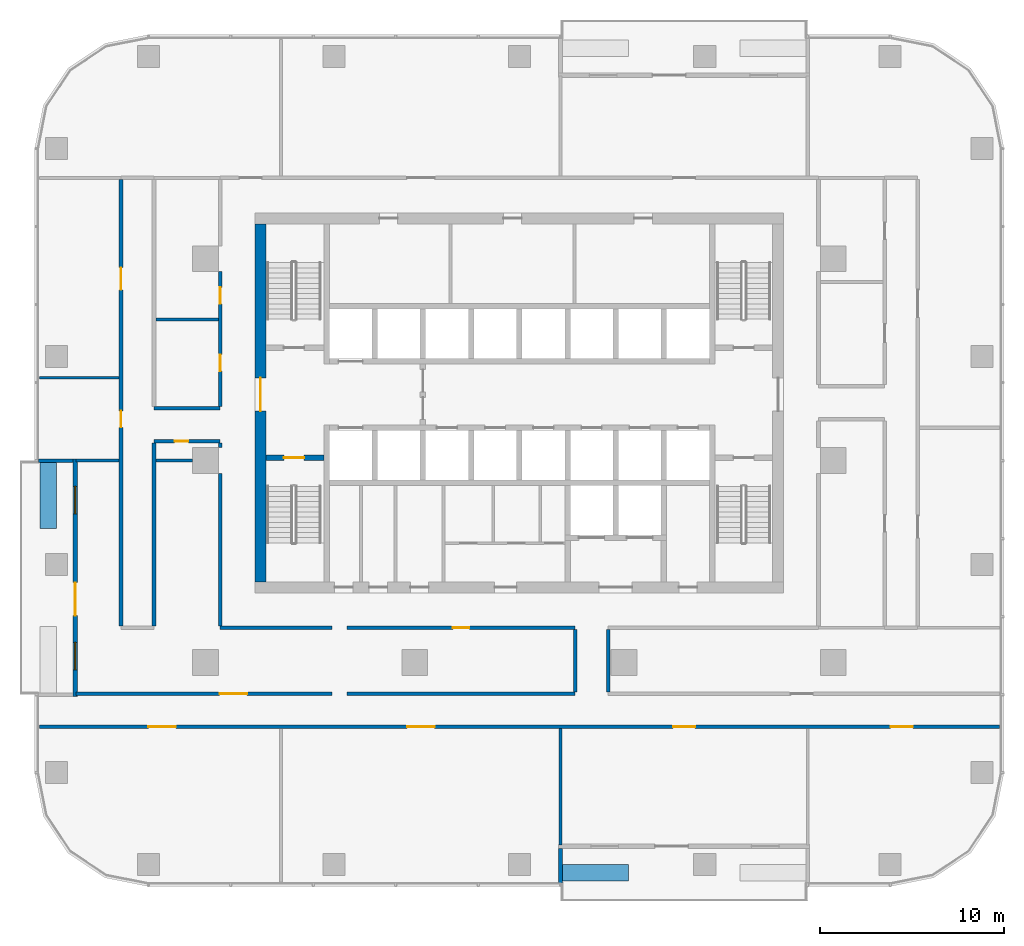
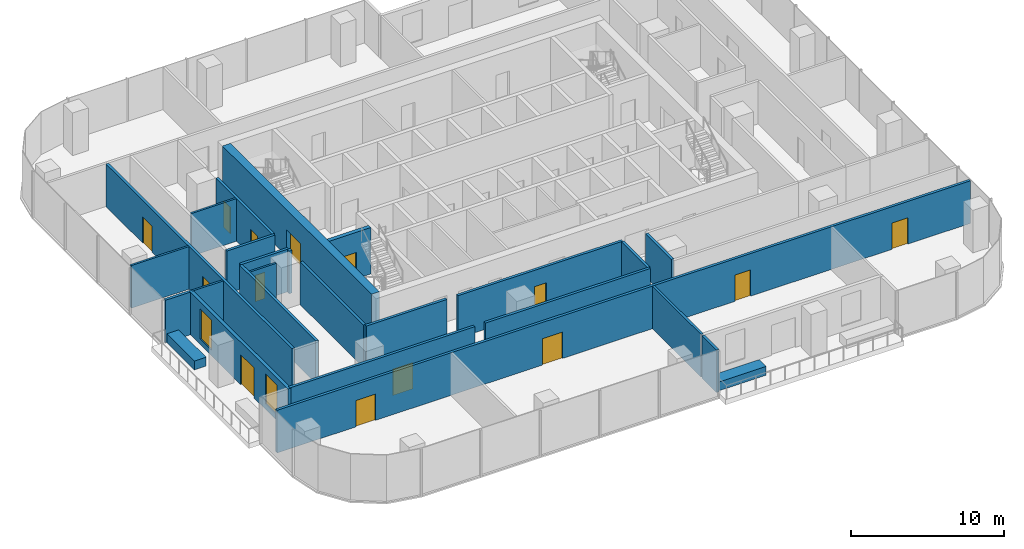
# One storey, part 7 of 14: 26 walls, 14 doors, 2 windows, 16 openings.
"""IFC4 building model written with IfcOpenShell, lengths in metres."""

from ifc_helpers import new_model, si_unit, direction, frame, frame_2d, origin, place, context, subcontext, project, spatial, rectangle, extrude, material, layer, layer_set, type_object, element, fill, save


model = new_model("IFC4")

# Units and contexts
model_context = context("Model", 3, precision=1e-05, world=origin(), true_north=direction((0.0, 1.0)))
body_context = subcontext(model_context, "Body", "Model", "MODEL_VIEW")
ifc_project = project(units=[si_unit("LENGTHUNIT", "METRE"), si_unit("AREAUNIT", "SQUARE_METRE"), si_unit("VOLUMEUNIT", "CUBIC_METRE"), si_unit("PLANEANGLEUNIT", "RADIAN"), si_unit("MASSUNIT", "GRAM", prefix="KILO")], contexts=[model_context])

# Site, building, storey
site_placement = place(None, origin())
site = spatial("IfcSite", under=ifc_project, at=site_placement, CompositionType="ELEMENT")
building_placement = place(site_placement, origin())
building = spatial("IfcBuilding", under=site, at=building_placement, Name="Mopane Tessera Tower", CompositionType="ELEMENT")
storey_placement = place(building_placement, frame((0.0, 0.0, 201.0)))
storey = spatial("IfcBuildingStorey", under=building, at=storey_placement, Name="L42", CompositionType="ELEMENT", Elevation=201.0)

# Wall, opening, door
ifc_material_1 = material(Name="Concrete C70/85", Category="concrete")
ifc_layer_1 = layer(ifc_material_1, 0.60009765625)
ifc_layer_set_1 = layer_set([ifc_layer_1], Name="Concrete C70/85")
wall_type_1 = type_object("IfcWallType", Name="Core shear wall 600 mm", PredefinedType="SHEAR", material=ifc_layer_set_1)
wall_1_placement = place(storey_placement, frame((-14.10009765625, -6.60009765625, 0.0), z_axis=(0.0, 0.0, 1.0), x_axis=(0.0, 1.0, 0.0)))
wall_1 = element("IfcWall", 1, at=wall_1_placement, inside=storey, type_object=wall_type_1, Name="L42 Core wall west", PredefinedType="SHEAR", context=body_context, shape_type="SweptSolid", body=[
    extrude(rectangle(XDim=19.5, YDim=0.60009765625, at=frame_2d((9.75, 0.0))), origin(), (0.0, 0.0, 1.0), 3.699951171875),
])
opening_1_placement = place(wall_1_placement, frame((9.300048828125, 0.0, 0.0)))
opening_1 = element("IfcOpeningElement", 2, at=opening_1_placement, cuts=wall_1, Name="Opening SD2", PredefinedType="OPENING", context=body_context, shape_type="SweptSolid", body=[
    extrude(rectangle(XDim=1.800048828125, YDim=2.10009765625, at=frame_2d((0.89990234375, 1.050048828125))), frame((0.0, 0.31201171875, 0.0), z_axis=(0.0, -1.0, 0.0), x_axis=(1.0, 0.0, 0.0)), (0.0, 0.0, 1.0), 0.6240234375),
])
ifc_material_2 = material(Name="Steel fire door", Category="steel")
door_type_1 = type_object("IfcDoorType", Name="Core entrance double door 1800 x 2100", OperationType="DOUBLE_DOOR_SINGLE_SWING", PredefinedType="DOOR", material=ifc_material_2)
door_1_placement = place(opening_1_placement, origin())
door_1 = element("IfcDoor", 3, at=door_1_placement, inside=storey, type_object=door_type_1, Name="L42 Core entrance door west", OperationType="DOUBLE_DOOR_SINGLE_SWING", OverallHeight=2.10009765625, OverallWidth=1.800048828125, PredefinedType="DOOR", context=body_context, shape_type="SweptSolid", body=[
    extrude(rectangle(XDim=1.800048828125, YDim=2.10009765625, at=frame_2d((0.89990234375, 1.050048828125))), frame((0.0, 0.02490234375, 0.0), z_axis=(0.0, -1.0, 0.0), x_axis=(1.0, 0.0, 0.0)), (0.0, 0.0, 1.0), 0.050048828125),
])
fill(opening_1, door_1)

# Wall
ifc_material_3 = material(Name="Gypsum board on staggered steel studs, double layer each face, acoustic mineral wool infill", Category="steel")
ifc_layer_2 = layer(ifc_material_3, 0.175048828125)
ifc_layer_set_2 = layer_set([ifc_layer_2], Name="Gypsum board on staggered steel studs, double layer each face, acoustic mineral wool infill")
wall_type_2 = type_object("IfcWallType", Name="Gypsum board acoustic partition 175, rated EI 60", PredefinedType="PARTITIONING", material=ifc_layer_set_2)
wall_2_placement = place(storey_placement, frame((2.2451171875, -20.949951171875, 0.0), z_axis=(0.0, 0.0, 1.0), x_axis=(0.0, 1.0, 0.0)))
element("IfcWall", 4, at=wall_2_placement, inside=storey, type_object=wall_type_2, Name="Partition L42:037", PredefinedType="PARTITIONING", context=body_context, shape_type="SweptSolid", body=[
    extrude(rectangle(XDim=6.349853515625, YDim=0.175048828125, at=frame_2d((3.1748046875, 0.0))), origin(), (0.0, 0.0, 1.0), 3.39990234375),
])

# Wall, openings, doors
ifc_material_4 = material(Name="Gypsum board on steel studs, two layers each face, mineral wool infill", Category="steel")
ifc_layer_3 = layer(ifc_material_4, 0.199951171875)
ifc_layer_set_3 = layer_set([ifc_layer_3], Name="Gypsum board on steel studs, two layers each face, mineral wool infill")
wall_type_3 = type_object("IfcWallType", Name="Gypsum board corridor wall 200, rated EI 60", PredefinedType="PARTITIONING", material=ifc_layer_set_3)
wall_3_placement = place(storey_placement, frame((-26.14990234375, -14.5, 0.0), z_axis=(0.0, 0.0, 1.0), x_axis=(1.0, 0.0, 0.0)))
wall_3 = element("IfcWall", 5, at=wall_3_placement, inside=storey, type_object=wall_type_3, Name="Partition L42:000", PredefinedType="PARTITIONING", context=body_context, shape_type="SweptSolid", body=[
    extrude(rectangle(XDim=52.2998046875, YDim=0.199951171875, at=frame_2d((26.14990234375, 0.0))), origin(), (0.0, 0.0, 1.0), 3.39990234375),
])
opening_2_placement = place(wall_3_placement, frame((46.3798828125, 0.0, 0.0)))
opening_2 = element("IfcOpeningElement", 6, at=opening_2_placement, cuts=wall_3, Name="Opening L42-04", PredefinedType="OPENING", context=body_context, shape_type="SweptSolid", body=[
    extrude(rectangle(XDim=1.199951171875, YDim=2.10009765625, at=frame_2d((0.60009765625, 1.050048828125))), frame((0.0, 0.112060546875, 0.0), z_axis=(0.0, -1.0, 0.0), x_axis=(1.0, 0.0, 0.0)), (0.0, 0.0, 1.0), 0.223876953125),
])
opening_3_placement = place(wall_3_placement, frame((5.9375, 0.0, 0.0)))
opening_3 = element("IfcOpeningElement", 7, at=opening_3_placement, cuts=wall_3, Name="Opening L42-12", PredefinedType="OPENING", context=body_context, shape_type="SweptSolid", body=[
    extrude(rectangle(XDim=1.5, YDim=2.10009765625, at=frame_2d((0.75, 1.050048828125))), frame((0.0, 0.112060546875, 0.0), z_axis=(0.0, -1.0, 0.0), x_axis=(1.0, 0.0, 0.0)), (0.0, 0.0, 1.0), 0.223876953125),
])
opening_4_placement = place(wall_3_placement, frame((20.034912109375, 0.0, 0.0)))
opening_4 = element("IfcOpeningElement", 8, at=opening_4_placement, cuts=wall_3, Name="Opening L42-16", PredefinedType="OPENING", context=body_context, shape_type="SweptSolid", body=[
    extrude(rectangle(XDim=1.5, YDim=2.10009765625, at=frame_2d((0.75, 1.050048828125))), frame((0.0, 0.112060546875, 0.0), z_axis=(0.0, -1.0, 0.0), x_axis=(1.0, 0.0, 0.0)), (0.0, 0.0, 1.0), 0.223876953125),
])
opening_5_placement = place(wall_3_placement, frame((34.527587890625, 0.0, 0.0)))
opening_5 = element("IfcOpeningElement", 9, at=opening_5_placement, cuts=wall_3, Name="Opening L42-19", PredefinedType="OPENING", context=body_context, shape_type="SweptSolid", body=[
    extrude(rectangle(XDim=1.199951171875, YDim=2.10009765625, at=frame_2d((0.60009765625, 1.050048828125))), frame((0.0, 0.112060546875, 0.0), z_axis=(0.0, -1.0, 0.0), x_axis=(1.0, 0.0, 0.0)), (0.0, 0.0, 1.0), 0.223876953125),
])
ifc_material_5 = material(Name="Timber veneered steel-framed fire door", Category="steel")
door_type_2 = type_object("IfcDoorType", Name="Fire door FD60 1200 x 2100", OperationType="SINGLE_SWING_LEFT", PredefinedType="DOOR", material=ifc_material_5)
door_2_placement = place(opening_2_placement, origin())
door_2 = element("IfcDoor", 10, at=door_2_placement, inside=storey, type_object=door_type_2, Name="Door L42-04", ObjectType="D15A", OperationType="SINGLE_SWING_RIGHT", OverallHeight=2.10009765625, OverallWidth=1.199951171875, PredefinedType="DOOR", context=body_context, shape_type="SweptSolid", body=[
    extrude(rectangle(XDim=1.199951171875, YDim=2.10009765625, at=frame_2d((0.60009765625, 1.050048828125))), frame((0.0, 0.02490234375, 0.0), z_axis=(0.0, -1.0, 0.0), x_axis=(1.0, 0.0, 0.0)), (0.0, 0.0, 1.0), 0.050048828125),
])
fill(opening_2, door_2)
door_3_placement = place(opening_5_placement, origin())
door_3 = element("IfcDoor", 11, at=door_3_placement, inside=storey, type_object=door_type_2, Name="Door L42-19", ObjectType="D15A", OperationType="SINGLE_SWING_LEFT", OverallHeight=2.10009765625, OverallWidth=1.199951171875, PredefinedType="DOOR", context=body_context, shape_type="SweptSolid", body=[
    extrude(rectangle(XDim=1.199951171875, YDim=2.10009765625, at=frame_2d((0.60009765625, 1.050048828125))), frame((0.0, 0.02490234375, 0.0), z_axis=(0.0, -1.0, 0.0), x_axis=(1.0, 0.0, 0.0)), (0.0, 0.0, 1.0), 0.050048828125),
])
fill(opening_5, door_3)
ifc_material_6 = material(Name="Timber veneered steel-framed fire door", Category="steel")
door_type_3 = type_object("IfcDoorType", Name="Fire door pair FD60 1500 x 2100", OperationType="DOUBLE_DOOR_SINGLE_SWING", PredefinedType="DOOR", material=ifc_material_6)
door_4_placement = place(opening_3_placement, origin())
door_4 = element("IfcDoor", 12, at=door_4_placement, inside=storey, type_object=door_type_3, Name="Door L42-12", ObjectType="D17A", OperationType="DOUBLE_DOOR_SINGLE_SWING", OverallHeight=2.10009765625, OverallWidth=1.5, PredefinedType="DOOR", context=body_context, shape_type="SweptSolid", body=[
    extrude(rectangle(XDim=1.5, YDim=2.10009765625, at=frame_2d((0.75, 1.050048828125))), frame((0.0, 0.02490234375, 0.0), z_axis=(0.0, -1.0, 0.0), x_axis=(1.0, 0.0, 0.0)), (0.0, 0.0, 1.0), 0.050048828125),
])
fill(opening_3, door_4)
door_5_placement = place(opening_4_placement, origin())
door_5 = element("IfcDoor", 13, at=door_5_placement, inside=storey, type_object=door_type_3, Name="Door L42-16", ObjectType="D17A", OperationType="DOUBLE_DOOR_SINGLE_SWING", OverallHeight=2.10009765625, OverallWidth=1.5, PredefinedType="DOOR", context=body_context, shape_type="SweptSolid", body=[
    extrude(rectangle(XDim=1.5, YDim=2.10009765625, at=frame_2d((0.75, 1.050048828125))), frame((0.0, 0.02490234375, 0.0), z_axis=(0.0, -1.0, 0.0), x_axis=(1.0, 0.0, 0.0)), (0.0, 0.0, 1.0), 0.050048828125),
])
fill(opening_4, door_5)

# Wall, opening, door
wall_4_placement = place(storey_placement, frame((-24.14990234375, -12.699951171875, 0.0), z_axis=(0.0, 0.0, 1.0), x_axis=(1.0, 0.0, 0.0)))
wall_4 = element("IfcWall", 14, at=wall_4_placement, inside=storey, type_object=wall_type_3, Name="Partition L42:001", PredefinedType="PARTITIONING", context=body_context, shape_type="SweptSolid", body=[
    extrude(rectangle(XDim=13.949951171875, YDim=0.199951171875, at=frame_2d((6.97509765625, 0.0))), origin(), (0.0, 0.0, 1.0), 3.39990234375),
])
opening_6_placement = place(wall_4_placement, frame((7.824951171875, 0.0, 0.0)))
opening_6 = element("IfcOpeningElement", 15, at=opening_6_placement, cuts=wall_4, Name="Opening L42-18", PredefinedType="OPENING", context=body_context, shape_type="SweptSolid", body=[
    extrude(rectangle(XDim=1.5, YDim=2.10009765625, at=frame_2d((0.75, 1.050048828125))), frame((0.0, 0.112060546875, 0.0), z_axis=(0.0, -1.0, 0.0), x_axis=(1.0, 0.0, 0.0)), (0.0, 0.0, 1.0), 0.223876953125),
])
door_6_placement = place(opening_6_placement, origin())
door_6 = element("IfcDoor", 16, at=door_6_placement, inside=storey, type_object=door_type_3, Name="Door L42-18", ObjectType="D17A", OperationType="DOUBLE_DOOR_SINGLE_SWING", OverallHeight=2.10009765625, OverallWidth=1.5, PredefinedType="DOOR", context=body_context, shape_type="SweptSolid", body=[
    extrude(rectangle(XDim=1.5, YDim=2.10009765625, at=frame_2d((0.75, 1.050048828125))), frame((0.0, 0.02490234375, 0.0), z_axis=(0.0, -1.0, 0.0), x_axis=(1.0, 0.0, 0.0)), (0.0, 0.0, 1.0), 0.050048828125),
])
fill(opening_6, door_6)

# Walls
wall_5_placement = place(storey_placement, frame((-9.385009765625, -12.699951171875, 0.0), z_axis=(0.0, 0.0, 1.0), x_axis=(1.0, 0.0, 0.0)))
element("IfcWall", 17, at=wall_5_placement, inside=storey, type_object=wall_type_3, Name="Partition L42:002", PredefinedType="PARTITIONING", context=body_context, shape_type="SweptSolid", body=[
    extrude(rectangle(XDim=12.425048828125, YDim=0.199951171875, at=frame_2d((6.21240234375, 0.0))), origin(), (0.0, 0.0, 1.0), 3.39990234375),
])
wall_6_placement = place(storey_placement, frame((-16.300048828125, -9.10009765625, 0.0), z_axis=(0.0, 0.0, 1.0), x_axis=(1.0, 0.0, 0.0)))
element("IfcWall", 18, at=wall_6_placement, inside=storey, type_object=wall_type_3, Name="Partition L42:007", PredefinedType="PARTITIONING", context=body_context, shape_type="SweptSolid", body=[
    extrude(rectangle(XDim=6.10009765625, YDim=0.199951171875, at=frame_2d((3.050048828125, 0.0))), origin(), (0.0, 0.0, 1.0), 3.39990234375),
])

# Wall, opening, door
wall_7_placement = place(storey_placement, frame((-9.385009765625, -9.10009765625, 0.0), z_axis=(0.0, 0.0, 1.0), x_axis=(1.0, 0.0, 0.0)))
wall_7 = element("IfcWall", 19, at=wall_7_placement, inside=storey, type_object=wall_type_3, Name="Partition L42:008", PredefinedType="PARTITIONING", context=body_context, shape_type="SweptSolid", body=[
    extrude(rectangle(XDim=12.425048828125, YDim=0.199951171875, at=frame_2d((6.21240234375, 0.0))), origin(), (0.0, 0.0, 1.0), 3.39990234375),
])
opening_7_placement = place(wall_7_placement, frame((5.762451171875, 0.0, 0.0)))
opening_7 = element("IfcOpeningElement", 20, at=opening_7_placement, cuts=wall_7, Name="Opening L42-11", PredefinedType="OPENING", context=body_context, shape_type="SweptSolid", body=[
    extrude(rectangle(XDim=0.89990234375, YDim=2.10009765625, at=frame_2d((0.449951171875, 1.050048828125))), frame((0.0, 0.112060546875, 0.0), z_axis=(0.0, -1.0, 0.0), x_axis=(1.0, 0.0, 0.0)), (0.0, 0.0, 1.0), 0.223876953125),
])
ifc_material_7 = material(Name="Timber veneered steel-framed fire door", Category="steel")
door_type_4 = type_object("IfcDoorType", Name="Fire door FD60 900 x 2100", OperationType="SINGLE_SWING_LEFT", PredefinedType="DOOR", material=ifc_material_7)
door_7_placement = place(opening_7_placement, origin())
door_7 = element("IfcDoor", 21, at=door_7_placement, inside=storey, type_object=door_type_4, Name="Door L42-11", ObjectType="D10A", OperationType="SINGLE_SWING_LEFT", OverallHeight=2.10009765625, OverallWidth=0.89990234375, PredefinedType="DOOR", context=body_context, shape_type="SweptSolid", body=[
    extrude(rectangle(XDim=0.89990234375, YDim=2.10009765625, at=frame_2d((0.449951171875, 1.050048828125))), frame((0.0, 0.02490234375, 0.0), z_axis=(0.0, -1.0, 0.0), x_axis=(1.0, 0.0, 0.0)), (0.0, 0.0, 1.0), 0.050048828125),
])
fill(opening_7, door_7)

wall_8_placement = place(storey_placement, frame((-19.89990234375, 1.050048828125, 0.0), z_axis=(0.0, 0.0, 1.0), x_axis=(1.0, 0.0, 0.0)))
wall_8 = element("IfcWall", 22, at=wall_8_placement, inside=storey, type_object=wall_type_3, Name="Partition L42:013", PredefinedType="PARTITIONING", context=body_context, shape_type="SweptSolid", body=[
    extrude(rectangle(XDim=3.599853515625, YDim=0.199951171875, at=frame_2d((1.7998046875, 0.0))), origin(), (0.0, 0.0, 1.0), 3.39990234375),
])
opening_8_placement = place(wall_8_placement, frame((1.125, 0.0, 0.0)))
opening_8 = element("IfcOpeningElement", 23, at=opening_8_placement, cuts=wall_8, Name="Opening L42-05", PredefinedType="OPENING", context=body_context, shape_type="SweptSolid", body=[
    extrude(rectangle(XDim=0.75, YDim=2.10009765625, at=frame_2d((0.375, 1.050048828125))), frame((0.0, 0.112060546875, 0.0), z_axis=(0.0, -1.0, 0.0), x_axis=(1.0, 0.0, 0.0)), (0.0, 0.0, 1.0), 0.223876953125),
])
ifc_material_8 = material(Name="Timber veneered steel-framed fire door", Category="steel")
door_type_5 = type_object("IfcDoorType", Name="Fire door FD60 750 x 2100", OperationType="SINGLE_SWING_LEFT", PredefinedType="DOOR", material=ifc_material_8)
door_8_placement = place(opening_8_placement, origin())
door_8 = element("IfcDoor", 24, at=door_8_placement, inside=storey, type_object=door_type_5, Name="Door L42-05", ObjectType="D08A", OperationType="SINGLE_SWING_LEFT", OverallHeight=2.10009765625, OverallWidth=0.75, PredefinedType="DOOR", context=body_context, shape_type="SweptSolid", body=[
    extrude(rectangle(XDim=0.75, YDim=2.10009765625, at=frame_2d((0.375, 1.050048828125))), frame((0.0, 0.02490234375, 0.0), z_axis=(0.0, -1.0, 0.0), x_axis=(1.0, 0.0, 0.0)), (0.0, 0.0, 1.0), 0.050048828125),
])
fill(opening_8, door_8)

# Wall
wall_9_placement = place(storey_placement, frame((-19.89990234375, 2.85009765625, 0.0), z_axis=(0.0, 0.0, 1.0), x_axis=(1.0, 0.0, 0.0)))
element("IfcWall", 25, at=wall_9_placement, inside=storey, type_object=wall_type_3, Name="Partition L42:016", PredefinedType="PARTITIONING", context=body_context, shape_type="SweptSolid", body=[
    extrude(rectangle(XDim=3.599853515625, YDim=0.199951171875, at=frame_2d((1.7998046875, 0.0))), origin(), (0.0, 0.0, 1.0), 3.39990234375),
])

# Wall, openings, doors
wall_10_placement = place(storey_placement, frame((-21.699951171875, -9.0, 0.0), z_axis=(0.0, 0.0, 1.0), x_axis=(0.0, 1.0, 0.0)))
wall_10 = element("IfcWall", 26, at=wall_10_placement, inside=storey, type_object=wall_type_3, Name="Partition L42:027", PredefinedType="PARTITIONING", context=body_context, shape_type="SweptSolid", body=[
    extrude(rectangle(XDim=24.300048828125, YDim=0.199951171875, at=frame_2d((12.14990234375, 0.0))), origin(), (0.0, 0.0, 1.0), 3.39990234375),
])
opening_9_placement = place(wall_10_placement, frame((18.304931640625, 0.0, 0.0)))
opening_9 = element("IfcOpeningElement", 27, at=opening_9_placement, cuts=wall_10, Name="Opening L42-01", PredefinedType="OPENING", context=body_context, shape_type="SweptSolid", body=[
    extrude(rectangle(XDim=1.199951171875, YDim=2.10009765625, at=frame_2d((0.60009765625, 1.050048828125))), frame((0.0, 0.112060546875, 0.0), z_axis=(0.0, -1.0, 0.0), x_axis=(1.0, 0.0, 0.0)), (0.0, 0.0, 1.0), 0.223876953125),
])
opening_10_placement = place(wall_10_placement, frame((10.804931640625, 0.0, 0.0)))
opening_10 = element("IfcOpeningElement", 28, at=opening_10_placement, cuts=wall_10, Name="Opening L42-09", PredefinedType="OPENING", context=body_context, shape_type="SweptSolid", body=[
    extrude(rectangle(XDim=0.89990234375, YDim=2.10009765625, at=frame_2d((0.449951171875, 1.050048828125))), frame((0.0, 0.112060546875, 0.0), z_axis=(0.0, -1.0, 0.0), x_axis=(1.0, 0.0, 0.0)), (0.0, 0.0, 1.0), 0.223876953125),
])
door_9_placement = place(opening_9_placement, origin())
door_9 = element("IfcDoor", 29, at=door_9_placement, inside=storey, type_object=door_type_2, Name="Door L42-01", ObjectType="D15A", OperationType="SINGLE_SWING_RIGHT", OverallHeight=2.10009765625, OverallWidth=1.199951171875, PredefinedType="DOOR", context=body_context, shape_type="SweptSolid", body=[
    extrude(rectangle(XDim=1.199951171875, YDim=2.10009765625, at=frame_2d((0.60009765625, 1.050048828125))), frame((0.0, 0.02490234375, 0.0), z_axis=(0.0, -1.0, 0.0), x_axis=(1.0, 0.0, 0.0)), (0.0, 0.0, 1.0), 0.050048828125),
])
fill(opening_9, door_9)
door_10_placement = place(opening_10_placement, origin())
door_10 = element("IfcDoor", 30, at=door_10_placement, inside=storey, type_object=door_type_4, Name="Door L42-09", ObjectType="D10A", OperationType="SINGLE_SWING_RIGHT", OverallHeight=2.10009765625, OverallWidth=0.89990234375, PredefinedType="DOOR", context=body_context, shape_type="SweptSolid", body=[
    extrude(rectangle(XDim=0.89990234375, YDim=2.10009765625, at=frame_2d((0.449951171875, 1.050048828125))), frame((0.0, 0.02490234375, 0.0), z_axis=(0.0, -1.0, 0.0), x_axis=(1.0, 0.0, 0.0)), (0.0, 0.0, 1.0), 0.050048828125),
])
fill(opening_10, door_10)

# Walls
wall_11_placement = place(storey_placement, frame((-19.89990234375, -9.0, 0.0), z_axis=(0.0, 0.0, 1.0), x_axis=(0.0, 1.0, 0.0)))
element("IfcWall", 31, at=wall_11_placement, inside=storey, type_object=wall_type_3, Name="Partition L42:028", PredefinedType="PARTITIONING", context=body_context, shape_type="SweptSolid", body=[
    extrude(rectangle(XDim=9.949951171875, YDim=0.199951171875, at=frame_2d((4.97509765625, 0.0))), origin(), (0.0, 0.0, 1.0), 3.39990234375),
])
wall_12_placement = place(storey_placement, frame((-16.300048828125, -9.0, 0.0), z_axis=(0.0, 0.0, 1.0), x_axis=(0.0, 1.0, 0.0)))
element("IfcWall", 32, at=wall_12_placement, inside=storey, type_object=wall_type_3, Name="Partition L42:030", PredefinedType="PARTITIONING", context=body_context, shape_type="SweptSolid", body=[
    extrude(rectangle(XDim=8.300048828125, YDim=0.199951171875, at=frame_2d((4.14990234375, 0.0))), origin(), (0.0, 0.0, 1.0), 3.39990234375),
])
wall_13_placement = place(storey_placement, frame((-16.300048828125, 0.699951171875, 0.0), z_axis=(0.0, 0.0, 1.0), x_axis=(0.0, 1.0, 0.0)))
element("IfcWall", 33, at=wall_13_placement, inside=storey, type_object=wall_type_3, Name="Partition L42:031", PredefinedType="PARTITIONING", context=body_context, shape_type="SweptSolid", body=[
    extrude(rectangle(XDim=0.25, YDim=0.199951171875, at=frame_2d((0.125, 0.0))), origin(), (0.0, 0.0, 1.0), 3.39990234375),
])

# Wall, openings, doors
wall_14_placement = place(storey_placement, frame((-16.300048828125, 2.949951171875, 0.0), z_axis=(0.0, 0.0, 1.0), x_axis=(0.0, 1.0, 0.0)))
wall_14 = element("IfcWall", 34, at=wall_14_placement, inside=storey, type_object=wall_type_3, Name="Partition L42:032", PredefinedType="PARTITIONING", context=body_context, shape_type="SweptSolid", body=[
    extrude(rectangle(XDim=7.35009765625, YDim=0.199951171875, at=frame_2d((3.675048828125, 0.0))), origin(), (0.0, 0.0, 1.0), 3.39990234375),
])
opening_11_placement = place(wall_14_placement, frame((5.592529296875, 0.0, 0.0)))
opening_11 = element("IfcOpeningElement", 35, at=opening_11_placement, cuts=wall_14, Name="Opening L42-02", PredefinedType="OPENING", context=body_context, shape_type="SweptSolid", body=[
    extrude(rectangle(XDim=0.89990234375, YDim=2.10009765625, at=frame_2d((0.449951171875, 1.050048828125))), frame((0.0, 0.112060546875, 0.0), z_axis=(0.0, -1.0, 0.0), x_axis=(1.0, 0.0, 0.0)), (0.0, 0.0, 1.0), 0.223876953125),
])
opening_12_placement = place(wall_14_placement, frame((1.91748046875, 0.0, 0.0)))
opening_12 = element("IfcOpeningElement", 36, at=opening_12_placement, cuts=wall_14, Name="Opening L42-10", PredefinedType="OPENING", context=body_context, shape_type="SweptSolid", body=[
    extrude(rectangle(XDim=0.89990234375, YDim=2.10009765625, at=frame_2d((0.449951171875, 1.050048828125))), frame((0.0, 0.112060546875, 0.0), z_axis=(0.0, -1.0, 0.0), x_axis=(1.0, 0.0, 0.0)), (0.0, 0.0, 1.0), 0.223876953125),
])
door_11_placement = place(opening_11_placement, origin())
door_11 = element("IfcDoor", 37, at=door_11_placement, inside=storey, type_object=door_type_4, Name="Door L42-02", ObjectType="D10A", OperationType="SINGLE_SWING_LEFT", OverallHeight=2.10009765625, OverallWidth=0.89990234375, PredefinedType="DOOR", context=body_context, shape_type="SweptSolid", body=[
    extrude(rectangle(XDim=0.89990234375, YDim=2.10009765625, at=frame_2d((0.449951171875, 1.050048828125))), frame((0.0, 0.02490234375, 0.0), z_axis=(0.0, -1.0, 0.0), x_axis=(1.0, 0.0, 0.0)), (0.0, 0.0, 1.0), 0.050048828125),
])
fill(opening_11, door_11)
door_12_placement = place(opening_12_placement, origin())
door_12 = element("IfcDoor", 38, at=door_12_placement, inside=storey, type_object=door_type_4, Name="Door L42-10", ObjectType="D10A", OperationType="SINGLE_SWING_LEFT", OverallHeight=2.10009765625, OverallWidth=0.89990234375, PredefinedType="DOOR", context=body_context, shape_type="SweptSolid", body=[
    extrude(rectangle(XDim=0.89990234375, YDim=2.10009765625, at=frame_2d((0.449951171875, 1.050048828125))), frame((0.0, 0.02490234375, 0.0), z_axis=(0.0, -1.0, 0.0), x_axis=(1.0, 0.0, 0.0)), (0.0, 0.0, 1.0), 0.050048828125),
])
fill(opening_12, door_12)

# Walls
for number, where, z_axis, x_axis, name in (
    (39, (3.0400390625, -12.60009765625, 0.0), (0.0, 0.0, 1.0), (0.0, 1.0, 0.0), "Partition L42:038"),
    (40, (4.840087890625, -12.60009765625, 0.0), (0.0, 0.0, 1.0), (0.0, 1.0, 0.0), "Partition L42:039"),
):
    element("IfcWall", number, at=place(storey_placement, frame(where, z_axis=z_axis, x_axis=x_axis)), inside=storey, type_object=wall_type_3, Name=name, PredefinedType="PARTITIONING", context=body_context, shape_type="SweptSolid", body=[
        extrude(rectangle(XDim=3.400146484375, YDim=0.199951171875, at=frame_2d((1.7001953125, 0.0))), origin(), (0.0, 0.0, 1.0), 3.39990234375),
    ])
ifc_material_9 = material(Name="Gypsum board on steel studs, mineral wool infill", Category="steel")
ifc_layer_4 = layer(ifc_material_9, 0.14990234375)
ifc_layer_set_4 = layer_set([ifc_layer_4], Name="Gypsum board on steel studs, mineral wool infill")
wall_type_4 = type_object("IfcWallType", Name="Gypsum board partition 150, rated EI 60", PredefinedType="PARTITIONING", material=ifc_layer_set_4)
wall_15_placement = place(storey_placement, frame((-24.14990234375, 0.0, 0.0), z_axis=(0.0, 0.0, 1.0), x_axis=(1.0, 0.0, 0.0)))
element("IfcWall", 41, at=wall_15_placement, inside=storey, type_object=wall_type_4, Name="Partition L42:011", PredefinedType="PARTITIONING", context=body_context, shape_type="SweptSolid", body=[
    extrude(rectangle(XDim=2.349853515625, YDim=0.14990234375, at=frame_2d((1.1748046875, 0.0))), origin(), (0.0, 0.0, 1.0), 3.39990234375),
])
wall_16_placement = place(storey_placement, frame((-19.800048828125, 0.0, 0.0), z_axis=(0.0, 0.0, 1.0), x_axis=(1.0, 0.0, 0.0)))
element("IfcWall", 42, at=wall_16_placement, inside=storey, type_object=wall_type_4, Name="Partition L42:012", PredefinedType="PARTITIONING", context=body_context, shape_type="SweptSolid", body=[
    extrude(rectangle(XDim=2.0, YDim=0.14990234375, at=frame_2d((1.0, 0.0))), origin(), (0.0, 0.0, 1.0), 3.39990234375),
])
wall_17_placement = place(storey_placement, frame((-26.14990234375, 4.510009765625, 0.0), z_axis=(0.0, 0.0, 1.0), x_axis=(1.0, 0.0, 0.0)))
element("IfcWall", 43, at=wall_17_placement, inside=storey, type_object=wall_type_4, Name="Partition L42:018", PredefinedType="PARTITIONING", context=body_context, shape_type="SweptSolid", body=[
    extrude(rectangle(XDim=4.349853515625, YDim=0.14990234375, at=frame_2d((2.1748046875, 0.0))), origin(), (0.0, 0.0, 1.0), 3.39990234375),
])
wall_18_placement = place(storey_placement, frame((-19.800048828125, 7.68505859375, 0.0), z_axis=(0.0, 0.0, 1.0), x_axis=(1.0, 0.0, 0.0)))
element("IfcWall", 44, at=wall_18_placement, inside=storey, type_object=wall_type_4, Name="Partition L42:019", PredefinedType="PARTITIONING", context=body_context, shape_type="SweptSolid", body=[
    extrude(rectangle(XDim=3.400146484375, YDim=0.14990234375, at=frame_2d((1.7001953125, 0.0))), origin(), (0.0, 0.0, 1.0), 3.39990234375),
])

# Wall, opening, door
ifc_material_10 = material(Name="Concrete C50/60", Category="concrete")
ifc_layer_5 = layer(ifc_material_10, 0.300048828125)
ifc_layer_set_5 = layer_set([ifc_layer_5], Name="Concrete C50/60")
wall_type_5 = type_object("IfcWallType", Name="Lift and stair shaft wall 300 mm", PredefinedType="SOLIDWALL", material=ifc_layer_set_5)
wall_19_placement = place(storey_placement, frame((-13.800048828125, 0.14990234375, 0.0), z_axis=(0.0, 0.0, 1.0), x_axis=(1.0, 0.0, 0.0)))
wall_19 = element("IfcWall", 45, at=wall_19_placement, inside=storey, type_object=wall_type_5, Name="L42 Stair enclosure wall", PredefinedType="SOLIDWALL", context=body_context, shape_type="SweptSolid", body=[
    extrude(rectangle(XDim=3.150146484375, YDim=0.300048828125, at=frame_2d((1.5751953125, 0.0))), origin(), (0.0, 0.0, 1.0), 3.699951171875),
])
opening_13_placement = place(wall_19_placement, frame((0.97509765625, 0.0, 0.0)))
opening_13 = element("IfcOpeningElement", 46, at=opening_13_placement, cuts=wall_19, Name="Opening SD1", PredefinedType="OPENING", context=body_context, shape_type="SweptSolid", body=[
    extrude(rectangle(XDim=1.10009765625, YDim=2.10009765625, at=frame_2d((0.550048828125, 1.050048828125))), frame((0.0, 0.162109375, 0.0), z_axis=(0.0, -1.0, 0.0), x_axis=(1.0, 0.0, 0.0)), (0.0, 0.0, 1.0), 0.323974609375),
])
ifc_material_11 = material(Name="Steel fire door", Category="steel")
door_type_6 = type_object("IfcDoorType", Name="Stair fire door 1100 x 2100", OperationType="SINGLE_SWING_LEFT", PredefinedType="DOOR", material=ifc_material_11)
door_13_placement = place(opening_13_placement, origin())
door_13 = element("IfcDoor", 47, at=door_13_placement, inside=storey, type_object=door_type_6, Name="L42 Stair door ST1", OperationType="SINGLE_SWING_LEFT", OverallHeight=2.10009765625, OverallWidth=1.10009765625, PredefinedType="DOOR", context=body_context, shape_type="SweptSolid", body=[
    extrude(rectangle(XDim=1.10009765625, YDim=2.10009765625, at=frame_2d((0.550048828125, 1.050048828125))), frame((0.0, 0.02490234375, 0.0), z_axis=(0.0, -1.0, 0.0), x_axis=(1.0, 0.0, 0.0)), (0.0, 0.0, 1.0), 0.050048828125),
])
fill(opening_13, door_13)

# Walls
ifc_material_12 = material(Name="Reinforced concrete C32/40 with waterproofing", Category="concrete")
ifc_layer_6 = layer(ifc_material_12, 0.89990234375)
ifc_layer_set_6 = layer_set([ifc_layer_6], Name="Reinforced concrete C32/40 with waterproofing")
wall_type_6 = type_object("IfcWallType", Name="Planter trough 3600 x 900", PredefinedType="STANDARD", material=ifc_layer_set_6)
for number, where, z_axis, x_axis, name in (
    (48, (-25.64990234375, -0.10009765625, 0.0), (0.0, 0.0, 1.0), (0.0, -1.0, 0.0), "e:nw:L42:N1:pl0"),
    (49, (2.344482421875, -22.449951171875, 0.0), (0.0, 0.0, 1.0), (1.0, 0.0, 0.0), "e:nw:L42:N2:pl0"),
):
    element("IfcWall", number, at=place(storey_placement, frame(where, z_axis=z_axis, x_axis=x_axis)), inside=storey, type_object=wall_type_6, Name=name, PredefinedType="STANDARD", context=body_context, shape_type="SweptSolid", body=[
        extrude(rectangle(XDim=3.599853515625, YDim=0.89990234375, at=frame_2d((1.7998046875, 0.0))), origin(), (0.0, 0.0, 1.0), 0.699951171875),
    ])
ifc_material_13 = material(Name="Blockwork with glazed tile facing", Category="masonry")
ifc_layer_7 = layer(ifc_material_13, 0.199951171875)
ifc_layer_set_7 = layer_set([ifc_layer_7], Name="Blockwork with glazed tile facing")
wall_type_7 = type_object("IfcWallType", Name="Terrace cheek wall 200", PredefinedType="STANDARD", material=ifc_layer_set_7)
for number, where, z_axis, x_axis, name in (
    (50, (-26.199951171875, 0.0, 0.0), (0.0, 0.0, 1.0), (1.0, 0.0, 0.0), "e:nw:L42:N1:cheeka"),
    (51, (2.244384765625, -23.0, 0.0), (0.0, 0.0, 1.0), (0.0, 1.0, 0.0), "e:nw:L42:N2:cheeka"),
):
    element("IfcWall", number, at=place(storey_placement, frame(where, z_axis=z_axis, x_axis=x_axis)), inside=storey, type_object=wall_type_7, Name=name, PredefinedType="STANDARD", context=body_context, shape_type="SweptSolid", body=[
        extrude(rectangle(XDim=1.875, YDim=0.199951171875, at=frame_2d((0.9375, 0.0))), origin(), (0.0, 0.0, 1.0), 3.39990234375),
    ])

# Wall, openings, windows, door
ifc_material_14 = material(Name="Blockwork with turquoise glazed tile facing", Category="masonry")
ifc_layer_8 = layer(ifc_material_14, 0.25)
ifc_layer_set_8 = layer_set([ifc_layer_8], Name="Blockwork with turquoise glazed tile facing")
wall_type_8 = type_object("IfcWallType", Name="Tile-clad external wall 250, turquoise", PredefinedType="STANDARD", material=ifc_layer_set_8)
wall_20_placement = place(storey_placement, frame((-24.199951171875, 0.10009765625, 0.0), z_axis=(0.0, 0.0, 1.0), x_axis=(0.0, -1.0, 0.0)))
wall_20 = element("IfcWall", 52, at=wall_20_placement, inside=storey, type_object=wall_type_8, Name="e:nw:L42:N1:back", PredefinedType="STANDARD", context=body_context, shape_type="SweptSolid", body=[
    extrude(rectangle(XDim=12.9501953125, YDim=0.25, at=frame_2d((6.47509765625, 0.0))), origin(), (0.0, 0.0, 1.0), 3.39990234375),
])
opening_14_placement = place(wall_20_placement, frame((1.5, 0.0, 0.449951171875)))
opening_14 = element("IfcOpeningElement", 53, at=opening_14_placement, cuts=wall_20, Name="Opening NW421A", PredefinedType="OPENING", context=body_context, shape_type="SweptSolid", body=[
    extrude(rectangle(XDim=1.5, YDim=2.39990234375, at=frame_2d((0.75, 1.199951171875))), frame((0.0, 0.136962890625, 0.0), z_axis=(0.0, -1.0, 0.0), x_axis=(1.0, 0.0, 0.0)), (0.0, 0.0, 1.0), 0.27392578125),
])
opening_15_placement = place(wall_20_placement, frame((6.75, 0.0, 0.0)))
opening_15 = element("IfcOpeningElement", 54, at=opening_15_placement, cuts=wall_20, Name="Opening ND421", PredefinedType="OPENING", context=body_context, shape_type="SweptSolid", body=[
    extrude(rectangle(XDim=1.800048828125, YDim=2.39990234375, at=frame_2d((0.89990234375, 1.199951171875))), frame((0.0, 0.136962890625, 0.0), z_axis=(0.0, -1.0, 0.0), x_axis=(1.0, 0.0, 0.0)), (0.0, 0.0, 1.0), 0.27392578125),
])
opening_16_placement = place(wall_20_placement, frame((10.0, 0.0, 0.449951171875)))
opening_16 = element("IfcOpeningElement", 55, at=opening_16_placement, cuts=wall_20, Name="Opening NW421B", PredefinedType="OPENING", context=body_context, shape_type="SweptSolid", body=[
    extrude(rectangle(XDim=1.5, YDim=2.39990234375, at=frame_2d((0.75, 1.199951171875))), frame((0.0, 0.136962890625, 0.0), z_axis=(0.0, -1.0, 0.0), x_axis=(1.0, 0.0, 0.0)), (0.0, 0.0, 1.0), 0.27392578125),
])
ifc_material_15 = material(Name="Clear laminated glass", Category="glass")
window_type = type_object("IfcWindowType", Name="Fixed window 1500 x 2400", PartitioningType="SINGLE_PANEL", PredefinedType="WINDOW", material=ifc_material_15)
window_1_placement = place(opening_14_placement, origin())
window_1 = element("IfcWindow", 56, at=window_1_placement, inside=storey, type_object=window_type, Name="e:nw:L42:N1:win0", OverallHeight=2.39990234375, OverallWidth=1.5, PartitioningType="SINGLE_PANEL", PredefinedType="WINDOW", context=body_context, shape_type="SweptSolid", body=[
    extrude(rectangle(XDim=1.5, YDim=2.39990234375, at=frame_2d((0.75, 1.199951171875))), frame((0.0, 0.030029296875, 0.0), z_axis=(0.0, -1.0, 0.0), x_axis=(1.0, 0.0, 0.0)), (0.0, 0.0, 1.0), 0.06005859375),
])
fill(opening_14, window_1)
window_2_placement = place(opening_16_placement, origin())
window_2 = element("IfcWindow", 57, at=window_2_placement, inside=storey, type_object=window_type, Name="e:nw:L42:N1:win2", OverallHeight=2.39990234375, OverallWidth=1.5, PartitioningType="SINGLE_PANEL", PredefinedType="WINDOW", context=body_context, shape_type="SweptSolid", body=[
    extrude(rectangle(XDim=1.5, YDim=2.39990234375, at=frame_2d((0.75, 1.199951171875))), frame((0.0, 0.030029296875, 0.0), z_axis=(0.0, -1.0, 0.0), x_axis=(1.0, 0.0, 0.0)), (0.0, 0.0, 1.0), 0.06005859375),
])
fill(opening_16, window_2)
ifc_material_16 = material(Name="Aluminium and clear glass", Category="aluminium")
door_type_7 = type_object("IfcDoorType", Name="Terrace double door 1800 x 2400", OperationType="DOUBLE_DOOR_SINGLE_SWING", PredefinedType="DOOR", material=ifc_material_16)
door_14_placement = place(opening_15_placement, origin())
door_14 = element("IfcDoor", 58, at=door_14_placement, inside=storey, type_object=door_type_7, Name="e:nw:L42:N1:door", ObjectType="D1", OperationType="DOUBLE_DOOR_SINGLE_SWING", OverallHeight=2.39990234375, OverallWidth=1.800048828125, PredefinedType="DOOR", context=body_context, shape_type="SweptSolid", body=[
    extrude(rectangle(XDim=1.800048828125, YDim=2.39990234375, at=frame_2d((0.89990234375, 1.199951171875))), frame((0.0, 0.02490234375, 0.0), z_axis=(0.0, -1.0, 0.0), x_axis=(1.0, 0.0, 0.0)), (0.0, 0.0, 1.0), 0.050048828125),
])
fill(opening_15, door_14)

save(model, "model.ifc")
